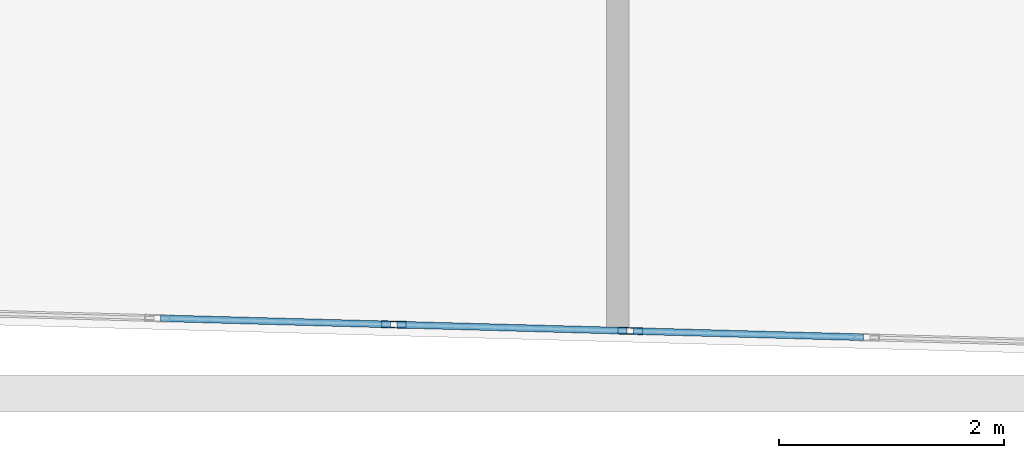
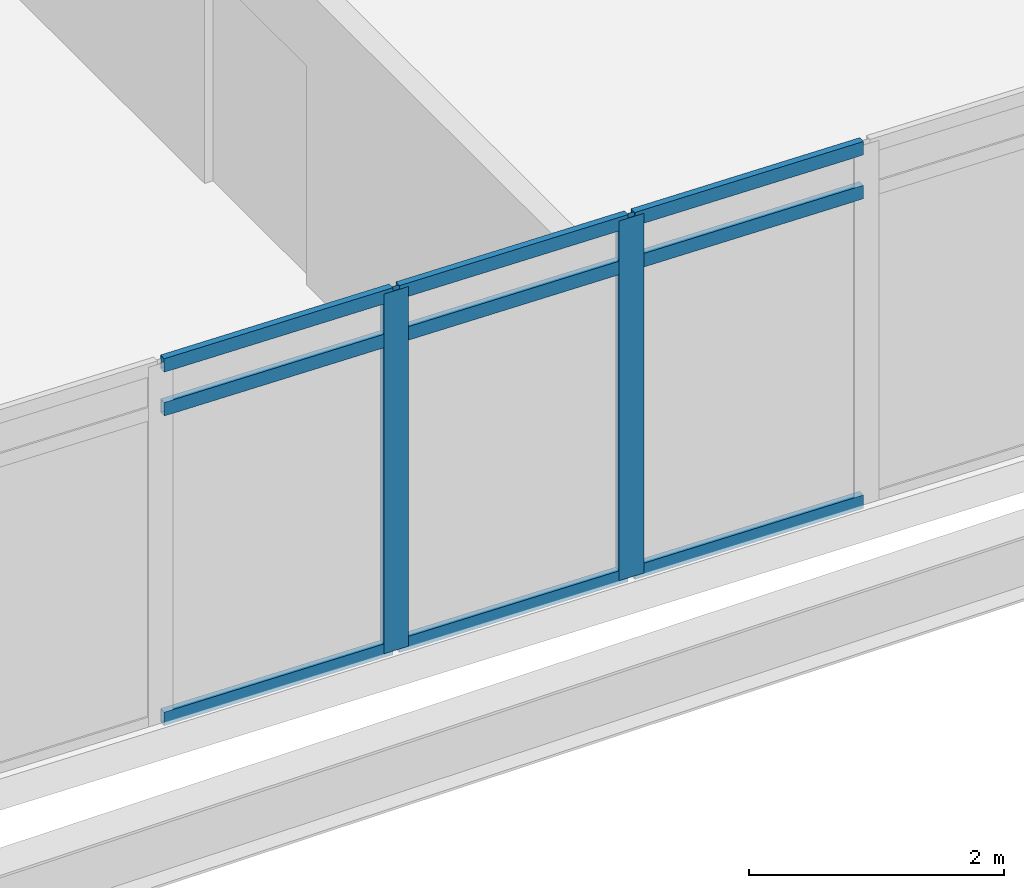
# One storey, part 3 of 35: 11 members, 1 element without a shape of its own.
"""IFC4 building model written with IfcOpenShell, lengths in metres."""

from ifc_helpers import new_model, si_unit, direction, frame, origin, origin_2d, place, context, subcontext, project, spatial, hollow_rectangle, extrude, material, material_profile, profile_set, type_object, element, aggregate, save


model = new_model("IFC4")

# Units and contexts
model_context = context("Model", 3, precision=1e-05, world=origin(), true_north=direction((0.0, 1.0)))
body_context = subcontext(model_context, "Body", "Model", "MODEL_VIEW")
ifc_project = project(units=[si_unit("LENGTHUNIT", "METRE"), si_unit("AREAUNIT", "SQUARE_METRE"), si_unit("VOLUMEUNIT", "CUBIC_METRE"), si_unit("PLANEANGLEUNIT", "RADIAN"), si_unit("MASSUNIT", "GRAM", prefix="KILO")], contexts=[model_context])

# Site, building, storey
site_placement = place(None, origin())
site = spatial("IfcSite", under=ifc_project, at=site_placement, CompositionType="ELEMENT")
building_placement = place(site_placement, origin())
building = spatial("IfcBuilding", under=site, at=building_placement, Name="Ostrander Bayou Hotel Tower", CompositionType="ELEMENT")
storey_placement = place(building_placement, frame((0.0, 0.0, 69.25)))
storey = spatial("IfcBuildingStorey", under=building, at=storey_placement, Name="L17", CompositionType="ELEMENT", Elevation=69.25)

# Curtain wall, members
ifc_material_1 = material(Name="Aluminium and clear glass", Category="aluminium")
curtain_wall_type = type_object("IfcCurtainWallType", Name="CW-BAR glazed wall", PredefinedType="NOTDEFINED", material=ifc_material_1)
curtain_wall_placement = place(storey_placement, origin())
curtain_wall = element("IfcCurtainWall", 1, at=curtain_wall_placement, inside=storey, type_object=curtain_wall_type, Name="CW-BAR L17:SB1S:T", PredefinedType="NOTDEFINED")
ifc_material_2 = material(Name="Aluminium", Category="aluminium")
ifc_material_profile_1 = material_profile(ifc_material_2, hollow_rectangle(XDim=0.06005859375, YDim=0.219970703125, WallThickness=0.00390625, at=origin_2d()))
ifc_profile_set_1 = profile_set([ifc_material_profile_1], Name="Aluminium")
member_type_1 = type_object("IfcMemberType", Name="CW-BR mullion 60 x 220 mm", PredefinedType="MULLION", material=ifc_profile_set_1)
member_1_placement = place(storey_placement, frame((-4.203369140625, -32.336181640625, 0.0), z_axis=(0.0, 0.0, 1.0), x_axis=(0.027042484848, 0.999634285133, 0.0)))
member_1 = element("IfcMember", 2, at=member_1_placement, type_object=member_type_1, Name="CW-BAR mullion 6", PredefinedType="MULLION", context=body_context, shape_type="SweptSolid", body=[
    extrude(hollow_rectangle(XDim=0.06005859375, YDim=0.219970703125, WallThickness=0.00390625, at=origin_2d()), origin(), (0.0, 0.0, 1.0), 3.449951171875),
])
member_2_placement = place(storey_placement, frame((-2.101806640625, -32.39306640625, 0.0), z_axis=(0.0, 0.0, 1.0), x_axis=(0.027042484848, 0.999634285133, 0.0)))
member_2 = element("IfcMember", 3, at=member_2_placement, type_object=member_type_1, Name="CW-BAR mullion 7", PredefinedType="MULLION", context=body_context, shape_type="SweptSolid", body=[
    extrude(hollow_rectangle(XDim=0.06005859375, YDim=0.219970703125, WallThickness=0.00390625, at=origin_2d()), origin(), (0.0, 0.0, 1.0), 3.449951171875),
])
ifc_material_3 = material(Name="Aluminium", Category="aluminium")
ifc_material_profile_2 = material_profile(ifc_material_3, hollow_rectangle(XDim=0.06005859375, YDim=0.1298828125, WallThickness=0.00390625, at=origin_2d()))
ifc_profile_set_2 = profile_set([ifc_material_profile_2], Name="Aluminium")
member_type_2 = type_object("IfcMemberType", Name="CW-BR transom 60 x 130 mm", PredefinedType="USERDEFINED", material=ifc_profile_set_2)
member_3_placement = place(storey_placement, frame((-6.275146484375, -32.2802734375, 0.030029296875), z_axis=(0.999635057116, -0.027013933147, 0.0), x_axis=(0.027013933147, 0.999635057116, 0.0)))
member_3 = element("IfcMember", 4, at=member_3_placement, type_object=member_type_2, Name="CW-BAR transom 5.1", ObjectType="TRANSOM", PredefinedType="USERDEFINED", context=body_context, shape_type="SweptSolid", body=[
    extrude(hollow_rectangle(XDim=0.06005859375, YDim=0.1298828125, WallThickness=0.00390625, at=origin_2d()), origin(), (0.0, 0.0, 1.0), 2.04248046875),
])
member_4_placement = place(storey_placement, frame((-6.275146484375, -32.2802734375, 3.0), z_axis=(0.999635057116, -0.027013933147, 0.0), x_axis=(0.027013933147, 0.999635057116, 0.0)))
member_4 = element("IfcMember", 5, at=member_4_placement, type_object=member_type_2, Name="CW-BAR transom 5.2", ObjectType="TRANSOM", PredefinedType="USERDEFINED", context=body_context, shape_type="SweptSolid", body=[
    extrude(hollow_rectangle(XDim=0.06005859375, YDim=0.1298828125, WallThickness=0.00390625, at=origin_2d()), origin(), (0.0, 0.0, 1.0), 2.04248046875),
])
member_5_placement = place(storey_placement, frame((-6.275146484375, -32.2802734375, 3.419921875), z_axis=(0.999635057116, -0.027013933147, 0.0), x_axis=(0.027013933147, 0.999635057116, 0.0)))
member_5 = element("IfcMember", 6, at=member_5_placement, type_object=member_type_2, Name="CW-BAR transom 5.3", ObjectType="TRANSOM", PredefinedType="USERDEFINED", context=body_context, shape_type="SweptSolid", body=[
    extrude(hollow_rectangle(XDim=0.06005859375, YDim=0.1298828125, WallThickness=0.00390625, at=origin_2d()), origin(), (0.0, 0.0, 1.0), 2.04248046875),
])
member_6_placement = place(storey_placement, frame((-4.173583984375, -32.337158203125, 0.030029296875), z_axis=(0.999635057116, -0.027013933147, 0.0), x_axis=(0.027013933147, 0.999635057116, 0.0)))
member_6 = element("IfcMember", 7, at=member_6_placement, type_object=member_type_2, Name="CW-BAR transom 6.1", ObjectType="TRANSOM", PredefinedType="USERDEFINED", context=body_context, shape_type="SweptSolid", body=[
    extrude(hollow_rectangle(XDim=0.06005859375, YDim=0.1298828125, WallThickness=0.00390625, at=origin_2d()), origin(), (0.0, 0.0, 1.0), 2.04248046875),
])
member_7_placement = place(storey_placement, frame((-4.173583984375, -32.337158203125, 3.0), z_axis=(0.999635057116, -0.027013933147, 0.0), x_axis=(0.027013933147, 0.999635057116, 0.0)))
member_7 = element("IfcMember", 8, at=member_7_placement, type_object=member_type_2, Name="CW-BAR transom 6.2", ObjectType="TRANSOM", PredefinedType="USERDEFINED", context=body_context, shape_type="SweptSolid", body=[
    extrude(hollow_rectangle(XDim=0.06005859375, YDim=0.1298828125, WallThickness=0.00390625, at=origin_2d()), origin(), (0.0, 0.0, 1.0), 2.04248046875),
])
member_8_placement = place(storey_placement, frame((-4.173583984375, -32.337158203125, 3.419921875), z_axis=(0.999635057116, -0.027013933147, 0.0), x_axis=(0.027013933147, 0.999635057116, 0.0)))
member_8 = element("IfcMember", 9, at=member_8_placement, type_object=member_type_2, Name="CW-BAR transom 6.3", ObjectType="TRANSOM", PredefinedType="USERDEFINED", context=body_context, shape_type="SweptSolid", body=[
    extrude(hollow_rectangle(XDim=0.06005859375, YDim=0.1298828125, WallThickness=0.00390625, at=origin_2d()), origin(), (0.0, 0.0, 1.0), 2.04248046875),
])
member_9_placement = place(storey_placement, frame((-2.07177734375, -32.39404296875, 0.030029296875), z_axis=(0.999635057116, -0.027013933147, 0.0), x_axis=(0.027013933147, 0.999635057116, 0.0)))
member_9 = element("IfcMember", 10, at=member_9_placement, type_object=member_type_2, Name="CW-BAR transom 7.1", ObjectType="TRANSOM", PredefinedType="USERDEFINED", context=body_context, shape_type="SweptSolid", body=[
    extrude(hollow_rectangle(XDim=0.06005859375, YDim=0.1298828125, WallThickness=0.00390625, at=origin_2d()), origin(), (0.0, 0.0, 1.0), 2.04248046875),
])
member_10_placement = place(storey_placement, frame((-2.07177734375, -32.39404296875, 3.0), z_axis=(0.999635057116, -0.027013933147, 0.0), x_axis=(0.027013933147, 0.999635057116, 0.0)))
member_10 = element("IfcMember", 11, at=member_10_placement, type_object=member_type_2, Name="CW-BAR transom 7.2", ObjectType="TRANSOM", PredefinedType="USERDEFINED", context=body_context, shape_type="SweptSolid", body=[
    extrude(hollow_rectangle(XDim=0.06005859375, YDim=0.1298828125, WallThickness=0.00390625, at=origin_2d()), origin(), (0.0, 0.0, 1.0), 2.04248046875),
])
member_11_placement = place(storey_placement, frame((-2.07177734375, -32.39404296875, 3.419921875), z_axis=(0.999635057116, -0.027013933147, 0.0), x_axis=(0.027013933147, 0.999635057116, 0.0)))
member_11 = element("IfcMember", 12, at=member_11_placement, type_object=member_type_2, Name="CW-BAR transom 7.3", ObjectType="TRANSOM", PredefinedType="USERDEFINED", context=body_context, shape_type="SweptSolid", body=[
    extrude(hollow_rectangle(XDim=0.06005859375, YDim=0.1298828125, WallThickness=0.00390625, at=origin_2d()), origin(), (0.0, 0.0, 1.0), 2.04248046875),
])
aggregate(curtain_wall, [member_1, member_2, member_3, member_4, member_5, member_6, member_7, member_8, member_9, member_10, member_11])

save(model, "model.ifc")
